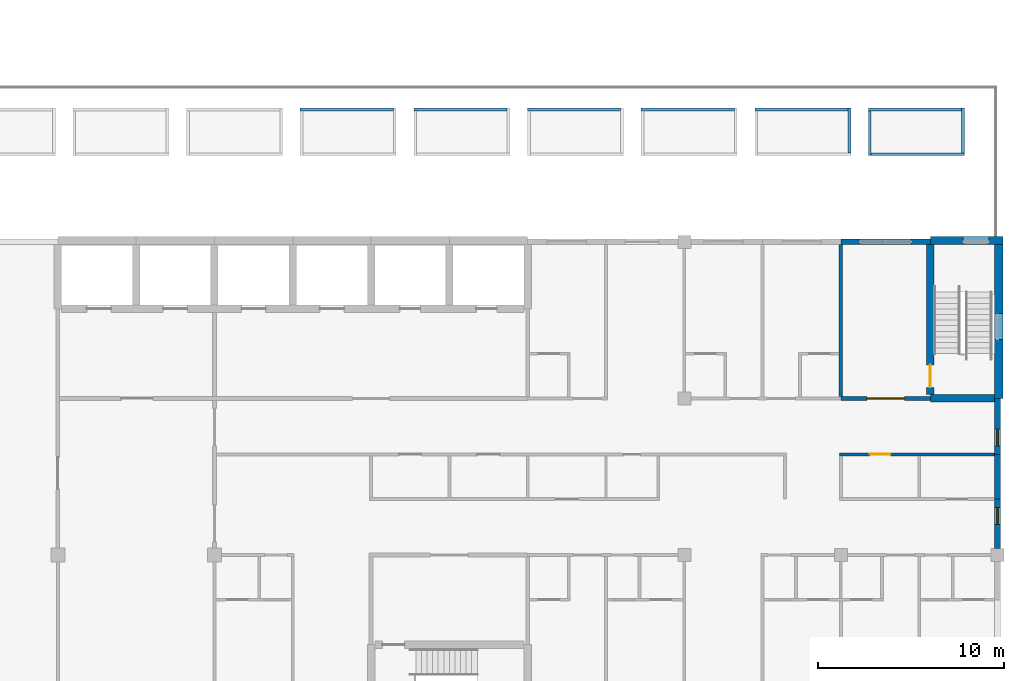
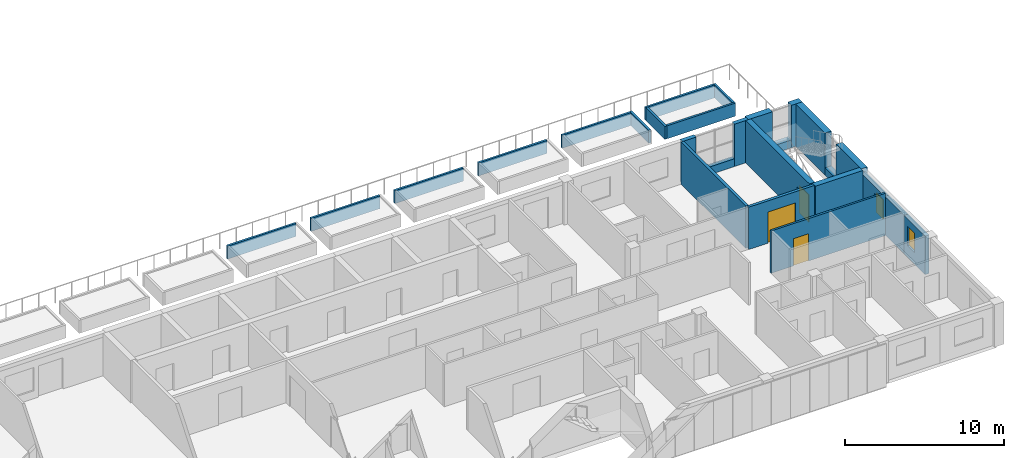
# One storey, part 47 of 61: 27 walls, 3 doors, 2 windows, 5 openings.
"""IFC4 building model written with IfcOpenShell, lengths in metres."""

from ifc_helpers import new_model, si_unit, direction, frame, frame_2d, origin, place, context, subcontext, project, spatial, rectangle, extrude, material, layer, layer_set, type_object, element, fill, save


model = new_model("IFC4")

# Units and contexts
model_context = context("Model", 3, precision=1e-05, world=origin(), true_north=direction((0.0, 1.0)))
body_context = subcontext(model_context, "Body", "Model", "MODEL_VIEW")
ifc_project = project(units=[si_unit("LENGTHUNIT", "METRE"), si_unit("AREAUNIT", "SQUARE_METRE"), si_unit("VOLUMEUNIT", "CUBIC_METRE"), si_unit("PLANEANGLEUNIT", "RADIAN"), si_unit("MASSUNIT", "GRAM", prefix="KILO")], contexts=[model_context])

# Site, building, storey
site_placement = place(None, origin())
site = spatial("IfcSite", under=ifc_project, at=site_placement, CompositionType="ELEMENT")
building_placement = place(site_placement, origin())
building = spatial("IfcBuilding", under=site, at=building_placement, Name="Yavir Park General Hospital", CompositionType="ELEMENT")
storey_placement = place(building_placement, frame((0.0, 0.0, 15.300048828125)))
storey = spatial("IfcBuildingStorey", under=building, at=storey_placement, Name="L03", CompositionType="ELEMENT", Elevation=15.300048828125)

# Wall, opening, door
ifc_material_1 = material(Name="Double gypsum board fire partition on steel studs", Category="steel")
ifc_layer_1 = layer(ifc_material_1, 0.199951171875)
ifc_layer_set_1 = layer_set([ifc_layer_1], Name="Double gypsum board fire partition on steel studs")
wall_type_1 = type_object("IfcWallType", Name="Fire-rated partition 200, EI 60", PredefinedType="PARTITIONING", material=ifc_layer_set_1)
wall_1_placement = place(storey_placement, frame((159.60009765625, 16.800048828125, 0.0), z_axis=(0.0, 0.0, 1.0), x_axis=(1.0, 0.0, 0.0)))
wall_1 = element("IfcWall", 1, at=wall_1_placement, inside=storey, type_object=wall_type_1, Name="FP20 L03-049", PredefinedType="PARTITIONING", context=body_context, shape_type="SweptSolid", body=[
    extrude(rectangle(XDim=4.7998046875, YDim=0.199951171875, at=frame_2d((2.39990234375, 0.0))), origin(), (0.0, 0.0, 1.0), 3.260009765625),
])
opening_1_placement = place(wall_1_placement, frame((1.39990234375, 0.0, 0.0)))
opening_1 = element("IfcOpeningElement", 2, at=opening_1_placement, cuts=wall_1, Name="Opening L03.D064", PredefinedType="OPENING", context=body_context, shape_type="SweptSolid", body=[
    extrude(rectangle(XDim=2.0, YDim=2.39990234375, at=frame_2d((1.0, 1.199951171875))), frame((0.0, 0.10986328125, 0.0), z_axis=(0.0, -1.0, 0.0), x_axis=(1.0, 0.0, 0.0)), (0.0, 0.0, 1.0), 0.219970703125),
])
ifc_material_2 = material(Name="Steel frame, fire-resisting leaves with vision panels", Category="steel")
door_type_1 = type_object("IfcDoorType", Name="Double fire door with vision panels 2000 x 2400, EI 60", OperationType="DOUBLE_DOOR_SINGLE_SWING", PredefinedType="DOOR", material=ifc_material_2)
door_1_placement = place(opening_1_placement, origin())
door_1 = element("IfcDoor", 3, at=door_1_placement, inside=storey, type_object=door_type_1, Name="L03.D064", OperationType="SINGLE_SWING_RIGHT", OverallHeight=2.39990234375, OverallWidth=2.0, PredefinedType="DOOR", context=body_context, shape_type="SweptSolid", body=[
    extrude(rectangle(XDim=2.0, YDim=2.39990234375, at=frame_2d((1.0, 1.199951171875))), frame((0.0, 0.030029296875, 0.0), z_axis=(0.0, -1.0, 0.0), x_axis=(1.0, 0.0, 0.0)), (0.0, 0.0, 1.0), 0.06005859375),
])
fill(opening_1, door_1)

# Wall
wall_2_placement = place(storey_placement, frame((159.60009765625, 16.89990234375, 0.0), z_axis=(0.0, 0.0, 1.0), x_axis=(0.0, 1.0, 0.0)))
element("IfcWall", 4, at=wall_2_placement, inside=storey, type_object=wall_type_1, Name="FP20 L03-293", PredefinedType="PARTITIONING", context=body_context, shape_type="SweptSolid", body=[
    extrude(rectangle(XDim=8.150146484375, YDim=0.199951171875, at=frame_2d((4.0751953125, 0.0))), origin(), (0.0, 0.0, 1.0), 3.260009765625),
])

# Wall, opening, door
ifc_material_3 = material(Name="Gypsum board partition on steel studs", Category="steel")
ifc_layer_2 = layer(ifc_material_3, 0.14990234375)
ifc_layer_set_2 = layer_set([ifc_layer_2], Name="Gypsum board partition on steel studs")
wall_type_2 = type_object("IfcWallType", Name="Gypsum board partition 150", PredefinedType="PARTITIONING", material=ifc_layer_set_2)
wall_3_placement = place(storey_placement, frame((159.52490234375, 13.800048828125, 0.0), z_axis=(0.0, 0.0, 1.0), x_axis=(1.0, 0.0, 0.0)))
wall_3 = element("IfcWall", 5, at=wall_3_placement, inside=storey, type_object=wall_type_2, Name="P15 L03-039", PredefinedType="PARTITIONING", context=body_context, shape_type="SweptSolid", body=[
    extrude(rectangle(XDim=8.3251953125, YDim=0.14990234375, at=frame_2d((4.16259765625, 0.0))), origin(), (0.0, 0.0, 1.0), 3.260009765625),
])
opening_2_placement = place(wall_3_placement, frame((1.625, 0.0, 0.0)))
opening_2 = element("IfcOpeningElement", 6, at=opening_2_placement, cuts=wall_3, Name="Opening L03.D053", PredefinedType="OPENING", context=body_context, shape_type="SweptSolid", body=[
    extrude(rectangle(XDim=1.10009765625, YDim=2.10009765625, at=frame_2d((0.550048828125, 1.050048828125))), frame((0.0, 0.0849609375, 0.0), z_axis=(0.0, -1.0, 0.0), x_axis=(1.0, 0.0, 0.0)), (0.0, 0.0, 1.0), 0.169921875),
])
ifc_material_4 = material(Name="Hollow metal frame, solid-core timber leaf", Category="wood")
door_type_2 = type_object("IfcDoorType", Name="Single swing door 1100 x 2100", OperationType="SINGLE_SWING_LEFT", PredefinedType="DOOR", material=ifc_material_4)
door_2_placement = place(opening_2_placement, origin())
door_2 = element("IfcDoor", 7, at=door_2_placement, inside=storey, type_object=door_type_2, Name="L03.D053", OperationType="SINGLE_SWING_LEFT", OverallHeight=2.10009765625, OverallWidth=1.10009765625, PredefinedType="DOOR", context=body_context, shape_type="SweptSolid", body=[
    extrude(rectangle(XDim=1.10009765625, YDim=2.10009765625, at=frame_2d((0.550048828125, 1.050048828125))), frame((0.0, 0.02490234375, 0.0), z_axis=(0.0, -1.0, 0.0), x_axis=(1.0, 0.0, 0.0)), (0.0, 0.0, 1.0), 0.050048828125),
])
fill(opening_2, door_2)

# Walls
ifc_material_5 = material(Name="Autoclaved aerated block, mineral wool and ochre mineral render")
ifc_layer_3 = layer(ifc_material_5, 0.300048828125)
ifc_layer_set_3 = layer_set([ifc_layer_3], Name="Autoclaved aerated block, mineral wool and ochre mineral render")
wall_type_3 = type_object("IfcWallType", Name="Ochre render ward wall 300, E 30", PredefinedType="SOLIDWALL", material=ifc_layer_set_3)
for number, where, z_axis, x_axis, name in (
    (8, (159.60009765625, 25.199951171875, 0.0), (0.0, 0.0, 1.0), (1.0, 0.0, 0.0), "XW7 L03-074"),
    (9, (163.39990234375, 25.199951171875, 0.0), (0.0, 0.0, 1.0), (1.0, 0.0, 0.0), "XW7 L03-075"),
):
    element("IfcWall", number, at=place(storey_placement, frame(where, z_axis=z_axis, x_axis=x_axis)), inside=storey, type_object=wall_type_3, Name=name, PredefinedType="SOLIDWALL", context=body_context, shape_type="SweptSolid", body=[
        extrude(rectangle(XDim=1.0, YDim=0.300048828125, at=frame_2d((0.5, 0.0))), origin(), (0.0, 0.0, 1.0), 3.260009765625),
    ])
wall_4_placement = place(storey_placement, frame((160.60009765625, 25.199951171875, 0.0), z_axis=(0.0, 0.0, 1.0), x_axis=(1.0, 0.0, 0.0)))
element("IfcWall", 10, at=wall_4_placement, inside=storey, type_object=wall_type_3, Name="XW7 L03-076", PredefinedType="SOLIDWALL", context=body_context, shape_type="SweptSolid", body=[
    extrude(rectangle(XDim=2.7998046875, YDim=0.300048828125, at=frame_2d((1.39990234375, 0.0))), origin(), (0.0, 0.0, 1.0), 0.599853515625),
])

# Wall, opening, window
wall_5_placement = place(storey_placement, frame((168.0, 8.75, 0.0), z_axis=(0.0, 0.0, 1.0), x_axis=(0.0, 1.0, 0.0)))
wall_5 = element("IfcWall", 11, at=wall_5_placement, inside=storey, type_object=wall_type_3, Name="XW7 L03-151", PredefinedType="SOLIDWALL", context=body_context, shape_type="SweptSolid", body=[
    extrude(rectangle(XDim=2.64990234375, YDim=0.300048828125, at=frame_2d((1.324951171875, 0.0))), origin(), (0.0, 0.0, 1.0), 2.9599609375),
])
opening_3_placement = place(wall_5_placement, frame((1.300048828125, 0.0, 0.89990234375)))
opening_3 = element("IfcOpeningElement", 12, at=opening_3_placement, cuts=wall_5, Name="Opening WH", PredefinedType="OPENING", context=body_context, shape_type="SweptSolid", body=[
    extrude(rectangle(XDim=0.89990234375, YDim=1.5, at=frame_2d((0.449951171875, 0.75))), frame((0.0, 0.159912109375, 0.0), z_axis=(0.0, -1.0, 0.0), x_axis=(1.0, 0.0, 0.0)), (0.0, 0.0, 1.0), 0.320068359375),
])
ifc_material_6 = material(Name="Aluminium frame, double glazed unit", Category="aluminium")
window_type = type_object("IfcWindowType", Name="Narrow window 900 x 1500", PartitioningType="SINGLE_PANEL", PredefinedType="WINDOW", material=ifc_material_6)
window_1_placement = place(opening_3_placement, origin())
window_1 = element("IfcWindow", 13, at=window_1_placement, inside=storey, type_object=window_type, Name="WH L03-072", OverallHeight=1.5, OverallWidth=0.89990234375, PartitioningType="SINGLE_PANEL", PredefinedType="WINDOW", context=body_context, shape_type="SweptSolid", body=[
    extrude(rectangle(XDim=0.89990234375, YDim=1.5, at=frame_2d((0.449951171875, 0.75))), frame((0.0, 0.030029296875, 0.0), z_axis=(0.0, -1.0, 0.0), x_axis=(1.0, 0.0, 0.0)), (0.0, 0.0, 1.0), 0.06005859375),
])
fill(opening_3, window_1)

# Wall
wall_6_placement = place(storey_placement, frame((168.0, 11.39990234375, 0.0), z_axis=(0.0, 0.0, 1.0), x_axis=(0.0, 1.0, 0.0)))
element("IfcWall", 14, at=wall_6_placement, inside=storey, type_object=wall_type_3, Name="XW7 L03-152", PredefinedType="SOLIDWALL", context=body_context, shape_type="SweptSolid", body=[
    extrude(rectangle(XDim=2.400146484375, YDim=0.300048828125, at=frame_2d((1.2001953125, 0.0))), origin(), (0.0, 0.0, 1.0), 2.9599609375),
])

# Wall, opening, window
wall_7_placement = place(storey_placement, frame((168.0, 13.800048828125, 0.0), z_axis=(0.0, 0.0, 1.0), x_axis=(0.0, 1.0, 0.0)))
wall_7 = element("IfcWall", 15, at=wall_7_placement, inside=storey, type_object=wall_type_3, Name="XW7 L03-153", PredefinedType="SOLIDWALL", context=body_context, shape_type="SweptSolid", body=[
    extrude(rectangle(XDim=3.0, YDim=0.300048828125, at=frame_2d((1.5, 0.0))), origin(), (0.0, 0.0, 1.0), 2.9599609375),
])
opening_4_placement = place(wall_7_placement, frame((0.449951171875, 0.0, 0.89990234375)))
opening_4 = element("IfcOpeningElement", 16, at=opening_4_placement, cuts=wall_7, Name="Opening WH", PredefinedType="OPENING", context=body_context, shape_type="SweptSolid", body=[
    extrude(rectangle(XDim=0.89990234375, YDim=1.5, at=frame_2d((0.449951171875, 0.75))), frame((0.0, 0.159912109375, 0.0), z_axis=(0.0, -1.0, 0.0), x_axis=(1.0, 0.0, 0.0)), (0.0, 0.0, 1.0), 0.320068359375),
])
window_2_placement = place(opening_4_placement, origin())
window_2 = element("IfcWindow", 17, at=window_2_placement, inside=storey, type_object=window_type, Name="WH L03-073", OverallHeight=1.5, OverallWidth=0.89990234375, PartitioningType="SINGLE_PANEL", PredefinedType="WINDOW", context=body_context, shape_type="SweptSolid", body=[
    extrude(rectangle(XDim=0.89990234375, YDim=1.5, at=frame_2d((0.449951171875, 0.75))), frame((0.0, 0.030029296875, 0.0), z_axis=(0.0, -1.0, 0.0), x_axis=(1.0, 0.0, 0.0)), (0.0, 0.0, 1.0), 0.06005859375),
])
fill(opening_4, window_2)

# Walls
ifc_material_7 = material(Name="Concrete C30/37", Category="concrete")
ifc_layer_4 = layer(ifc_material_7, 0.14990234375)
ifc_layer_set_4 = layer_set([ifc_layer_4], Name="Concrete C30/37")
wall_type_4 = type_object("IfcWallType", Name="Planter upstand 150 x 1000", PredefinedType="STANDARD", material=ifc_layer_set_4)
for number, where, z_axis, x_axis, name in (
    (18, (135.598876953125, 32.300048828125, 0.0), (0.0, 0.0, 1.0), (-1.0, 0.0, 0.0), "Planter upstand 18.3"),
    (19, (141.694580078125, 32.300048828125, 0.0), (0.0, 0.0, 1.0), (-1.0, 0.0, 0.0), "Planter upstand 19.3"),
    (20, (147.790283203125, 32.300048828125, 0.0), (0.0, 0.0, 1.0), (-1.0, 0.0, 0.0), "Planter upstand 20.3"),
    (21, (153.885986328125, 32.300048828125, 0.0), (0.0, 0.0, 1.0), (-1.0, 0.0, 0.0), "Planter upstand 21.3"),
):
    element("IfcWall", number, at=place(storey_placement, frame(where, z_axis=z_axis, x_axis=x_axis)), inside=storey, type_object=wall_type_4, Name=name, PredefinedType="STANDARD", context=body_context, shape_type="SweptSolid", body=[
        extrude(rectangle(XDim=5.0, YDim=0.14990234375, at=frame_2d((2.5, 0.0))), origin(), (0.0, 0.0, 1.0), 1.0),
    ])
wall_8_placement = place(storey_placement, frame((160.056396484375, 29.97509765625, 0.0), z_axis=(0.0, 0.0, 1.0), x_axis=(0.0, 1.0, 0.0)))
element("IfcWall", 22, at=wall_8_placement, inside=storey, type_object=wall_type_4, Name="Planter upstand 22.2", PredefinedType="STANDARD", context=body_context, shape_type="SweptSolid", body=[
    extrude(rectangle(XDim=2.39990234375, YDim=0.14990234375, at=frame_2d((1.199951171875, 0.0))), origin(), (0.0, 0.0, 1.0), 1.0),
])
for number, where, z_axis, x_axis, name in (
    (23, (159.9814453125, 32.300048828125, 0.0), (0.0, 0.0, 1.0), (-1.0, 0.0, 0.0), "Planter upstand 22.3"),
    (24, (161.227294921875, 29.89990234375, 0.0), (0.0, 0.0, 1.0), (1.0, 0.0, 0.0), "Planter upstand 23.1"),
):
    element("IfcWall", number, at=place(storey_placement, frame(where, z_axis=z_axis, x_axis=x_axis)), inside=storey, type_object=wall_type_4, Name=name, PredefinedType="STANDARD", context=body_context, shape_type="SweptSolid", body=[
        extrude(rectangle(XDim=5.0, YDim=0.14990234375, at=frame_2d((2.5, 0.0))), origin(), (0.0, 0.0, 1.0), 1.0),
    ])
wall_9_placement = place(storey_placement, frame((166.152099609375, 29.97509765625, 0.0), z_axis=(0.0, 0.0, 1.0), x_axis=(0.0, 1.0, 0.0)))
element("IfcWall", 25, at=wall_9_placement, inside=storey, type_object=wall_type_4, Name="Planter upstand 23.2", PredefinedType="STANDARD", context=body_context, shape_type="SweptSolid", body=[
    extrude(rectangle(XDim=2.39990234375, YDim=0.14990234375, at=frame_2d((1.199951171875, 0.0))), origin(), (0.0, 0.0, 1.0), 1.0),
])
wall_10_placement = place(storey_placement, frame((166.0771484375, 32.300048828125, 0.0), z_axis=(0.0, 0.0, 1.0), x_axis=(-1.0, 0.0, 0.0)))
element("IfcWall", 26, at=wall_10_placement, inside=storey, type_object=wall_type_4, Name="Planter upstand 23.3", PredefinedType="STANDARD", context=body_context, shape_type="SweptSolid", body=[
    extrude(rectangle(XDim=5.0, YDim=0.14990234375, at=frame_2d((2.5, 0.0))), origin(), (0.0, 0.0, 1.0), 1.0),
])
wall_11_placement = place(storey_placement, frame((161.152099609375, 32.22509765625, 0.0), z_axis=(0.0, 0.0, 1.0), x_axis=(0.0, -1.0, 0.0)))
element("IfcWall", 27, at=wall_11_placement, inside=storey, type_object=wall_type_4, Name="Planter upstand 23.4", PredefinedType="STANDARD", context=body_context, shape_type="SweptSolid", body=[
    extrude(rectangle(XDim=2.400146484375, YDim=0.14990234375, at=frame_2d((1.2001953125, 0.0))), origin(), (0.0, 0.0, 1.0), 1.0),
])
ifc_material_8 = material(Name="Concrete C35/45", Category="concrete")
ifc_layer_5 = layer(ifc_material_8, 0.39990234375)
ifc_layer_set_5 = layer_set([ifc_layer_5], Name="Concrete C35/45")
wall_type_5 = type_object("IfcWallType", Name="Reinforced concrete core wall 400, REI 150", PredefinedType="SHEAR", material=ifc_layer_set_5)
wall_12_placement = place(storey_placement, frame((164.39990234375, 16.800048828125, 0.0), z_axis=(0.0, 0.0, 1.0), x_axis=(1.0, 0.0, 0.0)))
element("IfcWall", 28, at=wall_12_placement, inside=storey, type_object=wall_type_5, Name="CW40 L03-050", PredefinedType="SHEAR", context=body_context, shape_type="SweptSolid", body=[
    extrude(rectangle(XDim=3.4501953125, YDim=0.39990234375, at=frame_2d((1.72509765625, 0.0))), origin(), (0.0, 0.0, 1.0), 3.260009765625),
])

# Wall, opening, door
wall_13_placement = place(storey_placement, frame((164.39990234375, 17.0, 0.0), z_axis=(0.0, 0.0, 1.0), x_axis=(0.0, 1.0, 0.0)))
wall_13 = element("IfcWall", 29, at=wall_13_placement, inside=storey, type_object=wall_type_5, Name="CW40 L03-297", PredefinedType="SHEAR", context=body_context, shape_type="SweptSolid", body=[
    extrude(rectangle(XDim=8.050048828125, YDim=0.39990234375, at=frame_2d((4.02490234375, 0.0))), origin(), (0.0, 0.0, 1.0), 3.260009765625),
])
opening_5_placement = place(wall_13_placement, frame((0.39990234375, 0.0, 0.0)))
opening_5 = element("IfcOpeningElement", 30, at=opening_5_placement, cuts=wall_13, Name="Opening L03.D165", PredefinedType="OPENING", context=body_context, shape_type="SweptSolid", body=[
    extrude(rectangle(XDim=1.199951171875, YDim=2.10009765625, at=frame_2d((0.60009765625, 1.050048828125))), frame((0.0, 0.2099609375, 0.0), z_axis=(0.0, -1.0, 0.0), x_axis=(1.0, 0.0, 0.0)), (0.0, 0.0, 1.0), 0.419921875),
])
ifc_material_9 = material(Name="Steel frame, fire-resisting timber leaf", Category="steel")
door_type_3 = type_object("IfcDoorType", Name="Fire door 1200 x 2100, EI 60", OperationType="SINGLE_SWING_LEFT", PredefinedType="DOOR", material=ifc_material_9)
door_3_placement = place(opening_5_placement, origin())
door_3 = element("IfcDoor", 31, at=door_3_placement, inside=storey, type_object=door_type_3, Name="L03.D165", OperationType="SINGLE_SWING_LEFT", OverallHeight=2.10009765625, OverallWidth=1.199951171875, PredefinedType="DOOR", context=body_context, shape_type="SweptSolid", body=[
    extrude(rectangle(XDim=1.199951171875, YDim=2.10009765625, at=frame_2d((0.60009765625, 1.050048828125))), frame((0.0, 0.02490234375, 0.0), z_axis=(0.0, -1.0, 0.0), x_axis=(1.0, 0.0, 0.0)), (0.0, 0.0, 1.0), 0.050048828125),
])
fill(opening_5, door_3)

# Walls
ifc_material_10 = material(Name="Concrete C30/37 precast panel with 150 mm mineral wool insulation", Category="concrete")
ifc_layer_6 = layer(ifc_material_10, 0.449951171875)
ifc_layer_set_6 = layer_set([ifc_layer_6], Name="Concrete C30/37 precast panel with 150 mm mineral wool insulation")
wall_type_6 = type_object("IfcWallType", Name="Stair enclosure wall 450, REI 150", PredefinedType="SOLIDWALL", material=ifc_layer_set_6)
wall_14_placement = place(storey_placement, frame((164.39990234375, 25.27490234375, 0.0), z_axis=(0.0, 0.0, 1.0), x_axis=(1.0, 0.0, 0.0)))
element("IfcWall", 32, at=wall_14_placement, inside=storey, type_object=wall_type_6, Name="XW6 L03-077", PredefinedType="SOLIDWALL", context=body_context, shape_type="SweptSolid", body=[
    extrude(rectangle(XDim=1.75, YDim=0.449951171875, at=frame_2d((0.875, 0.0))), origin(), (0.0, 0.0, 1.0), 3.260009765625),
])
wall_15_placement = place(storey_placement, frame((167.550048828125, 25.27490234375, 0.0), z_axis=(0.0, 0.0, 1.0), x_axis=(1.0, 0.0, 0.0)))
element("IfcWall", 33, at=wall_15_placement, inside=storey, type_object=wall_type_6, Name="XW6 L03-078", PredefinedType="SOLIDWALL", context=body_context, shape_type="SweptSolid", body=[
    extrude(rectangle(XDim=0.75, YDim=0.449951171875, at=frame_2d((0.375, 0.0))), origin(), (0.0, 0.0, 1.0), 3.260009765625),
])
wall_16_placement = place(storey_placement, frame((166.14990234375, 25.27490234375, 0.0), z_axis=(0.0, 0.0, 1.0), x_axis=(1.0, 0.0, 0.0)))
element("IfcWall", 34, at=wall_16_placement, inside=storey, type_object=wall_type_6, Name="XW6 L03-079", PredefinedType="SOLIDWALL", context=body_context, shape_type="SweptSolid", body=[
    extrude(rectangle(XDim=1.400146484375, YDim=0.449951171875, at=frame_2d((0.7001953125, 0.0))), origin(), (0.0, 0.0, 1.0), 0.599853515625),
])
wall_17_placement = place(storey_placement, frame((168.074951171875, 16.800048828125, 0.0), z_axis=(0.0, 0.0, 1.0), x_axis=(0.0, 1.0, 0.0)))
element("IfcWall", 35, at=wall_17_placement, inside=storey, type_object=wall_type_6, Name="XW6 L03-154", PredefinedType="SOLIDWALL", context=body_context, shape_type="SweptSolid", body=[
    extrude(rectangle(XDim=3.14990234375, YDim=0.449951171875, at=frame_2d((1.574951171875, 0.0))), origin(), (0.0, 0.0, 1.0), 3.260009765625),
])
wall_18_placement = place(storey_placement, frame((168.074951171875, 21.35009765625, 0.0), z_axis=(0.0, 0.0, 1.0), x_axis=(0.0, 1.0, 0.0)))
element("IfcWall", 36, at=wall_18_placement, inside=storey, type_object=wall_type_6, Name="XW6 L03-155", PredefinedType="SOLIDWALL", context=body_context, shape_type="SweptSolid", body=[
    extrude(rectangle(XDim=3.699951171875, YDim=0.449951171875, at=frame_2d((1.85009765625, 0.0))), origin(), (0.0, 0.0, 1.0), 3.260009765625),
])
wall_19_placement = place(storey_placement, frame((168.074951171875, 19.949951171875, 0.0), z_axis=(0.0, 0.0, 1.0), x_axis=(0.0, 1.0, 0.0)))
element("IfcWall", 37, at=wall_19_placement, inside=storey, type_object=wall_type_6, Name="XW6 L03-156", PredefinedType="SOLIDWALL", context=body_context, shape_type="SweptSolid", body=[
    extrude(rectangle(XDim=1.400146484375, YDim=0.449951171875, at=frame_2d((0.7001953125, 0.0))), origin(), (0.0, 0.0, 1.0), 0.599853515625),
])

save(model, "model.ifc")
